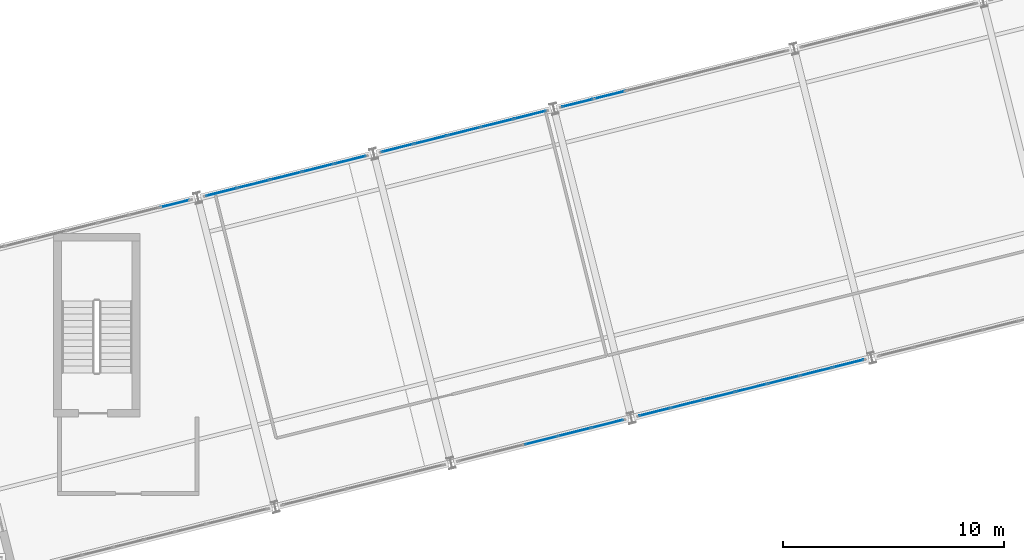
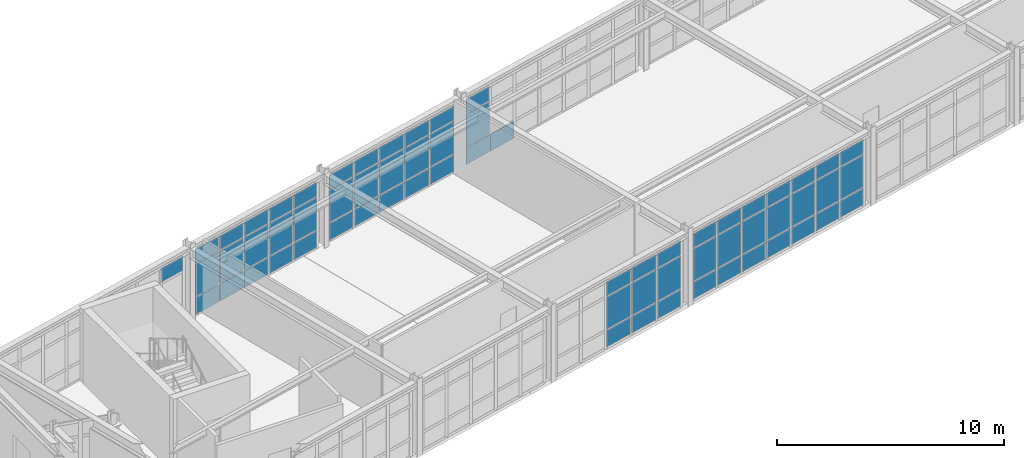
# One storey, part 50 of 88: 65 plates, 6 elements without a shape of their own.
"""IFC4 building model written with IfcOpenShell, lengths in metres."""

from ifc_helpers import new_model, si_unit, direction, frame, origin, origin_2d, place, context, subcontext, project, spatial, rectangle, extrude, material, layer, layer_set, type_object, element, aggregate, save


model = new_model("IFC4")

# Units and contexts
model_context = context("Model", 3, precision=1e-05, world=origin(), true_north=direction((0.0, 1.0)))
body_context = subcontext(model_context, "Body", "Model", "MODEL_VIEW")
ifc_project = project(units=[si_unit("LENGTHUNIT", "METRE"), si_unit("AREAUNIT", "SQUARE_METRE"), si_unit("VOLUMEUNIT", "CUBIC_METRE"), si_unit("PLANEANGLEUNIT", "RADIAN"), si_unit("MASSUNIT", "GRAM", prefix="KILO")], contexts=[model_context])

# Site, building, storey
site_placement = place(None, origin())
site = spatial("IfcSite", under=ifc_project, at=site_placement, CompositionType="ELEMENT")
building_placement = place(site_placement, origin())
building = spatial("IfcBuilding", under=site, at=building_placement, Name="Nordkorset Police Headquarters", CompositionType="ELEMENT")
storey_placement = place(building_placement, frame((0.0, 0.0, 9.449951171875)))
storey = spatial("IfcBuildingStorey", under=building, at=storey_placement, Name="L02", CompositionType="ELEMENT", Elevation=9.449951171875)

# Curtain wall, plate
ifc_material_1 = material(Name="Aluminium alloy AW-6060", Category="aluminium")
ifc_layer_1 = layer(ifc_material_1, 0.179931640625, Name="Aluminium alloy AW-6060")
ifc_layer_set_1 = layer_set([ifc_layer_1], Name="Aluminium alloy AW-6060")
curtain_wall_type_1 = type_object("IfcCurtainWallType", Name="CW_Unit_1156x364", PredefinedType="USERDEFINED", material=ifc_layer_set_1)
curtain_wall_1_placement = place(storey_placement, origin())
curtain_wall_1 = element("IfcCurtainWall", 1, at=curtain_wall_1_placement, inside=storey, type_object=curtain_wall_type_1, Name="Unitised Curtain Wall L02 V4N-0", ObjectType="UNITISED CURTAIN WALL", PredefinedType="USERDEFINED")
ifc_material_2 = material(Name="Low-iron triple glazing", Category="glass")
ifc_layer_2 = layer(ifc_material_2, 0.035888671875, Name="Low-iron triple glazing")
ifc_layer_set_2 = layer_set([ifc_layer_2], Name="Low-iron triple glazing")
plate_type = type_object("IfcPlateType", Name="CW_Panel_TripleGlazing_36", PredefinedType="CURTAIN_PANEL", material=ifc_layer_set_2)
plate_1_placement = place(storey_placement, frame((30.916015625, 58.672119140625, 2.822509765625), z_axis=(0.0, 0.0, 1.0), x_axis=(0.970142347489, 0.242536235663, 0.0)))
plate_1 = element("IfcPlate", 2, at=plate_1_placement, type_object=plate_type, Name="CW-103 panel 8.3", PredefinedType="CURTAIN_PANEL", context=body_context, shape_type="SweptSolid", body=[
    extrude(rectangle(XDim=1.347412109375, YDim=0.035888671875, at=origin_2d()), origin(), (0.0, 0.0, 1.0), 0.75244140625),
])
aggregate(curtain_wall_1, [plate_1])

# Curtain wall, plates
ifc_material_3 = material(Name="Aluminium alloy AW-6060", Category="aluminium")
ifc_layer_3 = layer(ifc_material_3, 0.179931640625, Name="Aluminium alloy AW-6060")
ifc_layer_set_3 = layer_set([ifc_layer_3], Name="Aluminium alloy AW-6060")
curtain_wall_type_2 = type_object("IfcCurtainWallType", Name="CW_Unit_756x364", PredefinedType="USERDEFINED", material=ifc_layer_set_3)
curtain_wall_2_placement = place(storey_placement, origin())
curtain_wall_2 = element("IfcCurtainWall", 3, at=curtain_wall_2_placement, inside=storey, type_object=curtain_wall_type_2, Name="Unitised Curtain Wall L02 V4N-1", ObjectType="UNITISED CURTAIN WALL", PredefinedType="USERDEFINED")
plate_2_placement = place(storey_placement, frame((33.0029296875, 59.19384765625, 0.06494140625), z_axis=(0.0, 0.0, 1.0), x_axis=(0.970142500145, 0.242535625038, 0.0)))
plate_2 = element("IfcPlate", 4, at=plate_2_placement, type_object=plate_type, Name="CW-10 panel 1.1", PredefinedType="CURTAIN_PANEL", context=body_context, shape_type="SweptSolid", body=[
    extrude(rectangle(XDim=1.41455078125, YDim=0.035888671875, at=origin_2d()), origin(), (0.0, 0.0, 1.0), 0.902587890625),
])
plate_3_placement = place(storey_placement, frame((33.0029296875, 59.19384765625, 1.032470703125), z_axis=(0.0, 0.0, 1.0), x_axis=(0.970142500145, 0.242535625038, 0.0)))
plate_3 = element("IfcPlate", 5, at=plate_3_placement, type_object=plate_type, Name="CW-10 panel 1.2", PredefinedType="CURTAIN_PANEL", context=body_context, shape_type="SweptSolid", body=[
    extrude(rectangle(XDim=1.41455078125, YDim=0.035888671875, at=origin_2d()), origin(), (0.0, 0.0, 1.0), 1.72509765625),
])
plate_4_placement = place(storey_placement, frame((33.0029296875, 59.19384765625, 2.822509765625), z_axis=(0.0, 0.0, 1.0), x_axis=(0.970142500145, 0.242535625038, 0.0)))
plate_4 = element("IfcPlate", 6, at=plate_4_placement, type_object=plate_type, Name="CW-10 panel 1.3", PredefinedType="CURTAIN_PANEL", context=body_context, shape_type="SweptSolid", body=[
    extrude(rectangle(XDim=1.41455078125, YDim=0.035888671875, at=origin_2d()), origin(), (0.0, 0.0, 1.0), 0.75244140625),
])
plate_5_placement = place(storey_placement, frame((34.453857421875, 59.556640625, 0.06494140625), z_axis=(0.0, 0.0, 1.0), x_axis=(0.970142500145, 0.242535625038, 0.0)))
plate_5 = element("IfcPlate", 7, at=plate_5_placement, type_object=plate_type, Name="CW-10 panel 2.1", PredefinedType="CURTAIN_PANEL", context=body_context, shape_type="SweptSolid", body=[
    extrude(rectangle(XDim=1.447021484375, YDim=0.035888671875, at=origin_2d()), origin(), (0.0, 0.0, 1.0), 0.902587890625),
])
plate_6_placement = place(storey_placement, frame((34.453857421875, 59.556640625, 1.032470703125), z_axis=(0.0, 0.0, 1.0), x_axis=(0.970142500145, 0.242535625038, 0.0)))
plate_6 = element("IfcPlate", 8, at=plate_6_placement, type_object=plate_type, Name="CW-10 panel 2.2", PredefinedType="CURTAIN_PANEL", context=body_context, shape_type="SweptSolid", body=[
    extrude(rectangle(XDim=1.447021484375, YDim=0.035888671875, at=origin_2d()), origin(), (0.0, 0.0, 1.0), 1.72509765625),
])
plate_7_placement = place(storey_placement, frame((34.453857421875, 59.556640625, 2.822509765625), z_axis=(0.0, 0.0, 1.0), x_axis=(0.970142500145, 0.242535625038, 0.0)))
plate_7 = element("IfcPlate", 9, at=plate_7_placement, type_object=plate_type, Name="CW-10 panel 2.3", PredefinedType="CURTAIN_PANEL", context=body_context, shape_type="SweptSolid", body=[
    extrude(rectangle(XDim=1.447021484375, YDim=0.035888671875, at=origin_2d()), origin(), (0.0, 0.0, 1.0), 0.75244140625),
])
plate_8_placement = place(storey_placement, frame((35.9208984375, 59.92333984375, 0.06494140625), z_axis=(0.0, 0.0, 1.0), x_axis=(0.970142500145, 0.242535625038, 0.0)))
plate_8 = element("IfcPlate", 10, at=plate_8_placement, type_object=plate_type, Name="CW-10 panel 3.1", PredefinedType="CURTAIN_PANEL", context=body_context, shape_type="SweptSolid", body=[
    extrude(rectangle(XDim=1.447021484375, YDim=0.035888671875, at=origin_2d()), origin(), (0.0, 0.0, 1.0), 0.902587890625),
])
plate_9_placement = place(storey_placement, frame((35.9208984375, 59.92333984375, 1.032470703125), z_axis=(0.0, 0.0, 1.0), x_axis=(0.970142500145, 0.242535625038, 0.0)))
plate_9 = element("IfcPlate", 11, at=plate_9_placement, type_object=plate_type, Name="CW-10 panel 3.2", PredefinedType="CURTAIN_PANEL", context=body_context, shape_type="SweptSolid", body=[
    extrude(rectangle(XDim=1.447021484375, YDim=0.035888671875, at=origin_2d()), origin(), (0.0, 0.0, 1.0), 1.72509765625),
])
plate_10_placement = place(storey_placement, frame((35.9208984375, 59.92333984375, 2.822509765625), z_axis=(0.0, 0.0, 1.0), x_axis=(0.970142500145, 0.242535625038, 0.0)))
plate_10 = element("IfcPlate", 12, at=plate_10_placement, type_object=plate_type, Name="CW-10 panel 3.3", PredefinedType="CURTAIN_PANEL", context=body_context, shape_type="SweptSolid", body=[
    extrude(rectangle(XDim=1.447021484375, YDim=0.035888671875, at=origin_2d()), origin(), (0.0, 0.0, 1.0), 0.75244140625),
])
plate_11_placement = place(storey_placement, frame((37.3876953125, 60.2900390625, 0.06494140625), z_axis=(0.0, 0.0, 1.0), x_axis=(0.970142500145, 0.242535625038, 0.0)))
plate_11 = element("IfcPlate", 13, at=plate_11_placement, type_object=plate_type, Name="CW-10 panel 4.1", PredefinedType="CURTAIN_PANEL", context=body_context, shape_type="SweptSolid", body=[
    extrude(rectangle(XDim=1.447021484375, YDim=0.035888671875, at=origin_2d()), origin(), (0.0, 0.0, 1.0), 0.902587890625),
])
plate_12_placement = place(storey_placement, frame((37.3876953125, 60.2900390625, 1.032470703125), z_axis=(0.0, 0.0, 1.0), x_axis=(0.970142500145, 0.242535625038, 0.0)))
plate_12 = element("IfcPlate", 14, at=plate_12_placement, type_object=plate_type, Name="CW-10 panel 4.2", PredefinedType="CURTAIN_PANEL", context=body_context, shape_type="SweptSolid", body=[
    extrude(rectangle(XDim=1.447021484375, YDim=0.035888671875, at=origin_2d()), origin(), (0.0, 0.0, 1.0), 1.72509765625),
])
plate_13_placement = place(storey_placement, frame((37.3876953125, 60.2900390625, 2.822509765625), z_axis=(0.0, 0.0, 1.0), x_axis=(0.970142500145, 0.242535625038, 0.0)))
plate_13 = element("IfcPlate", 15, at=plate_13_placement, type_object=plate_type, Name="CW-10 panel 4.3", PredefinedType="CURTAIN_PANEL", context=body_context, shape_type="SweptSolid", body=[
    extrude(rectangle(XDim=1.447021484375, YDim=0.035888671875, at=origin_2d()), origin(), (0.0, 0.0, 1.0), 0.75244140625),
])
plate_14_placement = place(storey_placement, frame((38.8388671875, 60.65283203125, 0.06494140625), z_axis=(0.0, 0.0, 1.0), x_axis=(0.970142500145, 0.242535625038, 0.0)))
plate_14 = element("IfcPlate", 16, at=plate_14_placement, type_object=plate_type, Name="CW-10 panel 5.1", PredefinedType="CURTAIN_PANEL", context=body_context, shape_type="SweptSolid", body=[
    extrude(rectangle(XDim=1.41455078125, YDim=0.035888671875, at=origin_2d()), origin(), (0.0, 0.0, 1.0), 0.902587890625),
])
plate_15_placement = place(storey_placement, frame((38.8388671875, 60.65283203125, 1.032470703125), z_axis=(0.0, 0.0, 1.0), x_axis=(0.970142500145, 0.242535625038, 0.0)))
plate_15 = element("IfcPlate", 17, at=plate_15_placement, type_object=plate_type, Name="CW-10 panel 5.2", PredefinedType="CURTAIN_PANEL", context=body_context, shape_type="SweptSolid", body=[
    extrude(rectangle(XDim=1.41455078125, YDim=0.035888671875, at=origin_2d()), origin(), (0.0, 0.0, 1.0), 1.72509765625),
])
plate_16_placement = place(storey_placement, frame((38.8388671875, 60.65283203125, 2.822509765625), z_axis=(0.0, 0.0, 1.0), x_axis=(0.970142500145, 0.242535625038, 0.0)))
plate_16 = element("IfcPlate", 18, at=plate_16_placement, type_object=plate_type, Name="CW-10 panel 5.3", PredefinedType="CURTAIN_PANEL", context=body_context, shape_type="SweptSolid", body=[
    extrude(rectangle(XDim=1.41455078125, YDim=0.035888671875, at=origin_2d()), origin(), (0.0, 0.0, 1.0), 0.75244140625),
])
aggregate(curtain_wall_2, [plate_2, plate_3, plate_4, plate_5, plate_6, plate_7, plate_8, plate_9, plate_10, plate_11, plate_12, plate_13, plate_14, plate_15, plate_16])

ifc_material_4 = material(Name="Aluminium alloy AW-6060", Category="aluminium")
ifc_layer_4 = layer(ifc_material_4, 0.179931640625, Name="Aluminium alloy AW-6060")
ifc_layer_set_4 = layer_set([ifc_layer_4], Name="Aluminium alloy AW-6060")
curtain_wall_type_3 = type_object("IfcCurtainWallType", Name="CW_Unit_776x364", PredefinedType="USERDEFINED", material=ifc_layer_set_4)
curtain_wall_3_placement = place(storey_placement, origin())
curtain_wall_3 = element("IfcCurtainWall", 19, at=curtain_wall_3_placement, inside=storey, type_object=curtain_wall_type_3, Name="Unitised Curtain Wall L02 V4S-2", ObjectType="UNITISED CURTAIN WALL", PredefinedType="USERDEFINED")
plate_17_placement = place(storey_placement, frame((47.465576171875, 47.96630859375, 0.06494140625), z_axis=(0.0, 0.0, 1.0), x_axis=(0.970142727556, 0.24253471539, 0.0)))
plate_17 = element("IfcPlate", 20, at=plate_17_placement, type_object=plate_type, Name="CW-100 panel 3.1", PredefinedType="CURTAIN_PANEL", context=body_context, shape_type="SweptSolid", body=[
    extrude(rectangle(XDim=1.487060546875, YDim=0.035888671875, at=origin_2d()), origin(), (0.0, 0.0, 1.0), 0.902587890625),
])
plate_18_placement = place(storey_placement, frame((47.465576171875, 47.96630859375, 1.032470703125), z_axis=(0.0, 0.0, 1.0), x_axis=(0.970142727556, 0.24253471539, 0.0)))
plate_18 = element("IfcPlate", 21, at=plate_18_placement, type_object=plate_type, Name="CW-100 panel 3.2", PredefinedType="CURTAIN_PANEL", context=body_context, shape_type="SweptSolid", body=[
    extrude(rectangle(XDim=1.487060546875, YDim=0.035888671875, at=origin_2d()), origin(), (0.0, 0.0, 1.0), 1.72509765625),
])
plate_19_placement = place(storey_placement, frame((47.465576171875, 47.96630859375, 2.822509765625), z_axis=(0.0, 0.0, 1.0), x_axis=(0.970142727556, 0.24253471539, 0.0)))
plate_19 = element("IfcPlate", 22, at=plate_19_placement, type_object=plate_type, Name="CW-100 panel 3.3", PredefinedType="CURTAIN_PANEL", context=body_context, shape_type="SweptSolid", body=[
    extrude(rectangle(XDim=1.487060546875, YDim=0.035888671875, at=origin_2d()), origin(), (0.0, 0.0, 1.0), 0.75244140625),
])
plate_20_placement = place(storey_placement, frame((48.97119140625, 48.3427734375, 0.06494140625), z_axis=(0.0, 0.0, 1.0), x_axis=(0.970142727556, 0.24253471539, 0.0)))
plate_20 = element("IfcPlate", 23, at=plate_20_placement, type_object=plate_type, Name="CW-100 panel 4.1", PredefinedType="CURTAIN_PANEL", context=body_context, shape_type="SweptSolid", body=[
    extrude(rectangle(XDim=1.487060546875, YDim=0.035888671875, at=origin_2d()), origin(), (0.0, 0.0, 1.0), 0.902587890625),
])
plate_21_placement = place(storey_placement, frame((48.97119140625, 48.3427734375, 1.032470703125), z_axis=(0.0, 0.0, 1.0), x_axis=(0.970142727556, 0.24253471539, 0.0)))
plate_21 = element("IfcPlate", 24, at=plate_21_placement, type_object=plate_type, Name="CW-100 panel 4.2", PredefinedType="CURTAIN_PANEL", context=body_context, shape_type="SweptSolid", body=[
    extrude(rectangle(XDim=1.487060546875, YDim=0.035888671875, at=origin_2d()), origin(), (0.0, 0.0, 1.0), 1.72509765625),
])
plate_22_placement = place(storey_placement, frame((48.97119140625, 48.3427734375, 2.822509765625), z_axis=(0.0, 0.0, 1.0), x_axis=(0.970142727556, 0.24253471539, 0.0)))
plate_22 = element("IfcPlate", 25, at=plate_22_placement, type_object=plate_type, Name="CW-100 panel 4.3", PredefinedType="CURTAIN_PANEL", context=body_context, shape_type="SweptSolid", body=[
    extrude(rectangle(XDim=1.487060546875, YDim=0.035888671875, at=origin_2d()), origin(), (0.0, 0.0, 1.0), 0.75244140625),
])
plate_23_placement = place(storey_placement, frame((50.461181640625, 48.71533203125, 0.06494140625), z_axis=(0.0, 0.0, 1.0), x_axis=(0.970142727556, 0.24253471539, 0.0)))
plate_23 = element("IfcPlate", 26, at=plate_23_placement, type_object=plate_type, Name="CW-100 panel 5.1", PredefinedType="CURTAIN_PANEL", context=body_context, shape_type="SweptSolid", body=[
    extrude(rectangle(XDim=1.45458984375, YDim=0.035888671875, at=origin_2d()), origin(), (0.0, 0.0, 1.0), 0.902587890625),
])
plate_24_placement = place(storey_placement, frame((50.461181640625, 48.71533203125, 1.032470703125), z_axis=(0.0, 0.0, 1.0), x_axis=(0.970142727556, 0.24253471539, 0.0)))
plate_24 = element("IfcPlate", 27, at=plate_24_placement, type_object=plate_type, Name="CW-100 panel 5.2", PredefinedType="CURTAIN_PANEL", context=body_context, shape_type="SweptSolid", body=[
    extrude(rectangle(XDim=1.45458984375, YDim=0.035888671875, at=origin_2d()), origin(), (0.0, 0.0, 1.0), 1.72509765625),
])
plate_25_placement = place(storey_placement, frame((50.461181640625, 48.71533203125, 2.822509765625), z_axis=(0.0, 0.0, 1.0), x_axis=(0.970142727556, 0.24253471539, 0.0)))
plate_25 = element("IfcPlate", 28, at=plate_25_placement, type_object=plate_type, Name="CW-100 panel 5.3", PredefinedType="CURTAIN_PANEL", context=body_context, shape_type="SweptSolid", body=[
    extrude(rectangle(XDim=1.45458984375, YDim=0.035888671875, at=origin_2d()), origin(), (0.0, 0.0, 1.0), 0.75244140625),
])
aggregate(curtain_wall_3, [plate_17, plate_18, plate_19, plate_20, plate_21, plate_22, plate_23, plate_24, plate_25])

curtain_wall_4_placement = place(storey_placement, origin())
curtain_wall_4 = element("IfcCurtainWall", 29, at=curtain_wall_4_placement, inside=storey, type_object=curtain_wall_type_3, Name="Unitised Curtain Wall L02 V4N-2", ObjectType="UNITISED CURTAIN WALL", PredefinedType="USERDEFINED")
plate_26_placement = place(storey_placement, frame((40.9775390625, 61.1875, 0.06494140625), z_axis=(0.0, 0.0, 1.0), x_axis=(0.970142424344, 0.242535928242, 0.0)))
plate_26 = element("IfcPlate", 30, at=plate_26_placement, type_object=plate_type, Name="CW-100 panel 1.1", PredefinedType="CURTAIN_PANEL", context=body_context, shape_type="SweptSolid", body=[
    extrude(rectangle(XDim=1.45458984375, YDim=0.035888671875, at=origin_2d()), origin(), (0.0, 0.0, 1.0), 0.902587890625),
])
plate_27_placement = place(storey_placement, frame((40.9775390625, 61.1875, 1.032470703125), z_axis=(0.0, 0.0, 1.0), x_axis=(0.970142424344, 0.242535928242, 0.0)))
plate_27 = element("IfcPlate", 31, at=plate_27_placement, type_object=plate_type, Name="CW-100 panel 1.2", PredefinedType="CURTAIN_PANEL", context=body_context, shape_type="SweptSolid", body=[
    extrude(rectangle(XDim=1.45458984375, YDim=0.035888671875, at=origin_2d()), origin(), (0.0, 0.0, 1.0), 1.72509765625),
])
plate_28_placement = place(storey_placement, frame((40.9775390625, 61.1875, 2.822509765625), z_axis=(0.0, 0.0, 1.0), x_axis=(0.970142424344, 0.242535928242, 0.0)))
plate_28 = element("IfcPlate", 32, at=plate_28_placement, type_object=plate_type, Name="CW-100 panel 1.3", PredefinedType="CURTAIN_PANEL", context=body_context, shape_type="SweptSolid", body=[
    extrude(rectangle(XDim=1.45458984375, YDim=0.035888671875, at=origin_2d()), origin(), (0.0, 0.0, 1.0), 0.75244140625),
])
plate_29_placement = place(storey_placement, frame((42.46728515625, 61.56005859375, 0.06494140625), z_axis=(0.0, 0.0, 1.0), x_axis=(0.970142424344, 0.242535928242, 0.0)))
plate_29 = element("IfcPlate", 33, at=plate_29_placement, type_object=plate_type, Name="CW-100 panel 2.1", PredefinedType="CURTAIN_PANEL", context=body_context, shape_type="SweptSolid", body=[
    extrude(rectangle(XDim=1.487060546875, YDim=0.035888671875, at=origin_2d()), origin(), (0.0, 0.0, 1.0), 0.902587890625),
])
plate_30_placement = place(storey_placement, frame((42.46728515625, 61.56005859375, 1.032470703125), z_axis=(0.0, 0.0, 1.0), x_axis=(0.970142424344, 0.242535928242, 0.0)))
plate_30 = element("IfcPlate", 34, at=plate_30_placement, type_object=plate_type, Name="CW-100 panel 2.2", PredefinedType="CURTAIN_PANEL", context=body_context, shape_type="SweptSolid", body=[
    extrude(rectangle(XDim=1.487060546875, YDim=0.035888671875, at=origin_2d()), origin(), (0.0, 0.0, 1.0), 1.72509765625),
])
plate_31_placement = place(storey_placement, frame((42.46728515625, 61.56005859375, 2.822509765625), z_axis=(0.0, 0.0, 1.0), x_axis=(0.970142424344, 0.242535928242, 0.0)))
plate_31 = element("IfcPlate", 35, at=plate_31_placement, type_object=plate_type, Name="CW-100 panel 2.3", PredefinedType="CURTAIN_PANEL", context=body_context, shape_type="SweptSolid", body=[
    extrude(rectangle(XDim=1.487060546875, YDim=0.035888671875, at=origin_2d()), origin(), (0.0, 0.0, 1.0), 0.75244140625),
])
plate_32_placement = place(storey_placement, frame((43.972900390625, 61.9365234375, 0.06494140625), z_axis=(0.0, 0.0, 1.0), x_axis=(0.970142424344, 0.242535928242, 0.0)))
plate_32 = element("IfcPlate", 36, at=plate_32_placement, type_object=plate_type, Name="CW-100 panel 3.1", PredefinedType="CURTAIN_PANEL", context=body_context, shape_type="SweptSolid", body=[
    extrude(rectangle(XDim=1.487060546875, YDim=0.035888671875, at=origin_2d()), origin(), (0.0, 0.0, 1.0), 0.902587890625),
])
plate_33_placement = place(storey_placement, frame((43.972900390625, 61.9365234375, 1.032470703125), z_axis=(0.0, 0.0, 1.0), x_axis=(0.970142424344, 0.242535928242, 0.0)))
plate_33 = element("IfcPlate", 37, at=plate_33_placement, type_object=plate_type, Name="CW-100 panel 3.2", PredefinedType="CURTAIN_PANEL", context=body_context, shape_type="SweptSolid", body=[
    extrude(rectangle(XDim=1.487060546875, YDim=0.035888671875, at=origin_2d()), origin(), (0.0, 0.0, 1.0), 1.72509765625),
])
plate_34_placement = place(storey_placement, frame((43.972900390625, 61.9365234375, 2.822509765625), z_axis=(0.0, 0.0, 1.0), x_axis=(0.970142424344, 0.242535928242, 0.0)))
plate_34 = element("IfcPlate", 38, at=plate_34_placement, type_object=plate_type, Name="CW-100 panel 3.3", PredefinedType="CURTAIN_PANEL", context=body_context, shape_type="SweptSolid", body=[
    extrude(rectangle(XDim=1.487060546875, YDim=0.035888671875, at=origin_2d()), origin(), (0.0, 0.0, 1.0), 0.75244140625),
])
plate_35_placement = place(storey_placement, frame((45.478759765625, 62.312744140625, 0.06494140625), z_axis=(0.0, 0.0, 1.0), x_axis=(0.970142424344, 0.242535928242, 0.0)))
plate_35 = element("IfcPlate", 39, at=plate_35_placement, type_object=plate_type, Name="CW-100 panel 4.1", PredefinedType="CURTAIN_PANEL", context=body_context, shape_type="SweptSolid", body=[
    extrude(rectangle(XDim=1.487060546875, YDim=0.035888671875, at=origin_2d()), origin(), (0.0, 0.0, 1.0), 0.902587890625),
])
plate_36_placement = place(storey_placement, frame((45.478759765625, 62.312744140625, 1.032470703125), z_axis=(0.0, 0.0, 1.0), x_axis=(0.970142424344, 0.242535928242, 0.0)))
plate_36 = element("IfcPlate", 40, at=plate_36_placement, type_object=plate_type, Name="CW-100 panel 4.2", PredefinedType="CURTAIN_PANEL", context=body_context, shape_type="SweptSolid", body=[
    extrude(rectangle(XDim=1.487060546875, YDim=0.035888671875, at=origin_2d()), origin(), (0.0, 0.0, 1.0), 1.72509765625),
])
plate_37_placement = place(storey_placement, frame((45.478759765625, 62.312744140625, 2.822509765625), z_axis=(0.0, 0.0, 1.0), x_axis=(0.970142424344, 0.242535928242, 0.0)))
plate_37 = element("IfcPlate", 41, at=plate_37_placement, type_object=plate_type, Name="CW-100 panel 4.3", PredefinedType="CURTAIN_PANEL", context=body_context, shape_type="SweptSolid", body=[
    extrude(rectangle(XDim=1.487060546875, YDim=0.035888671875, at=origin_2d()), origin(), (0.0, 0.0, 1.0), 0.75244140625),
])
plate_38_placement = place(storey_placement, frame((46.968505859375, 62.685302734375, 0.06494140625), z_axis=(0.0, 0.0, 1.0), x_axis=(0.970142424344, 0.242535928242, 0.0)))
plate_38 = element("IfcPlate", 42, at=plate_38_placement, type_object=plate_type, Name="CW-100 panel 5.1", PredefinedType="CURTAIN_PANEL", context=body_context, shape_type="SweptSolid", body=[
    extrude(rectangle(XDim=1.45458984375, YDim=0.035888671875, at=origin_2d()), origin(), (0.0, 0.0, 1.0), 0.902587890625),
])
plate_39_placement = place(storey_placement, frame((46.968505859375, 62.685302734375, 1.032470703125), z_axis=(0.0, 0.0, 1.0), x_axis=(0.970142424344, 0.242535928242, 0.0)))
plate_39 = element("IfcPlate", 43, at=plate_39_placement, type_object=plate_type, Name="CW-100 panel 5.2", PredefinedType="CURTAIN_PANEL", context=body_context, shape_type="SweptSolid", body=[
    extrude(rectangle(XDim=1.45458984375, YDim=0.035888671875, at=origin_2d()), origin(), (0.0, 0.0, 1.0), 1.72509765625),
])
plate_40_placement = place(storey_placement, frame((46.968505859375, 62.685302734375, 2.822509765625), z_axis=(0.0, 0.0, 1.0), x_axis=(0.970142424344, 0.242535928242, 0.0)))
plate_40 = element("IfcPlate", 44, at=plate_40_placement, type_object=plate_type, Name="CW-100 panel 5.3", PredefinedType="CURTAIN_PANEL", context=body_context, shape_type="SweptSolid", body=[
    extrude(rectangle(XDim=1.45458984375, YDim=0.035888671875, at=origin_2d()), origin(), (0.0, 0.0, 1.0), 0.75244140625),
])
aggregate(curtain_wall_4, [plate_26, plate_27, plate_28, plate_29, plate_30, plate_31, plate_32, plate_33, plate_34, plate_35, plate_36, plate_37, plate_38, plate_39, plate_40])

ifc_material_5 = material(Name="Aluminium alloy AW-6060", Category="aluminium")
ifc_layer_5 = layer(ifc_material_5, 0.179931640625, Name="Aluminium alloy AW-6060")
ifc_layer_set_5 = layer_set([ifc_layer_5], Name="Aluminium alloy AW-6060")
curtain_wall_type_4 = type_object("IfcCurtainWallType", Name="CW_Unit_1056x364", PredefinedType="USERDEFINED", material=ifc_layer_set_5)
curtain_wall_5_placement = place(storey_placement, origin())
curtain_wall_5 = element("IfcCurtainWall", 45, at=curtain_wall_5_placement, inside=storey, type_object=curtain_wall_type_4, Name="Unitised Curtain Wall L02 V4S-3", ObjectType="UNITISED CURTAIN WALL", PredefinedType="USERDEFINED")
plate_41_placement = place(storey_placement, frame((52.59814453125, 49.24951171875, 0.06494140625), z_axis=(0.0, 0.0, 1.0), x_axis=(0.970142611554, 0.242535179399, 0.0)))
plate_41 = element("IfcPlate", 46, at=plate_41_placement, type_object=plate_type, Name="CW-31 panel 1.1", PredefinedType="CURTAIN_PANEL", context=body_context, shape_type="SweptSolid", body=[
    extrude(rectangle(XDim=1.4111328125, YDim=0.035888671875, at=origin_2d()), origin(), (0.0, 0.0, 1.0), 0.902587890625),
])
plate_42_placement = place(storey_placement, frame((52.59814453125, 49.24951171875, 1.032470703125), z_axis=(0.0, 0.0, 1.0), x_axis=(0.970142611554, 0.242535179399, 0.0)))
plate_42 = element("IfcPlate", 47, at=plate_42_placement, type_object=plate_type, Name="CW-31 panel 1.2", PredefinedType="CURTAIN_PANEL", context=body_context, shape_type="SweptSolid", body=[
    extrude(rectangle(XDim=1.4111328125, YDim=0.035888671875, at=origin_2d()), origin(), (0.0, 0.0, 1.0), 1.72509765625),
])
plate_43_placement = place(storey_placement, frame((52.59814453125, 49.24951171875, 2.822509765625), z_axis=(0.0, 0.0, 1.0), x_axis=(0.970142611554, 0.242535179399, 0.0)))
plate_43 = element("IfcPlate", 48, at=plate_43_placement, type_object=plate_type, Name="CW-31 panel 1.3", PredefinedType="CURTAIN_PANEL", context=body_context, shape_type="SweptSolid", body=[
    extrude(rectangle(XDim=1.4111328125, YDim=0.035888671875, at=origin_2d()), origin(), (0.0, 0.0, 1.0), 0.75244140625),
])
plate_44_placement = place(storey_placement, frame((54.0458984375, 49.611572265625, 0.06494140625), z_axis=(0.0, 0.0, 1.0), x_axis=(0.970142611554, 0.242535179399, 0.0)))
plate_44 = element("IfcPlate", 49, at=plate_44_placement, type_object=plate_type, Name="CW-31 panel 2.1", PredefinedType="CURTAIN_PANEL", context=body_context, shape_type="SweptSolid", body=[
    extrude(rectangle(XDim=1.443603515625, YDim=0.035888671875, at=origin_2d()), origin(), (0.0, 0.0, 1.0), 0.902587890625),
])
plate_45_placement = place(storey_placement, frame((54.0458984375, 49.611572265625, 1.032470703125), z_axis=(0.0, 0.0, 1.0), x_axis=(0.970142611554, 0.242535179399, 0.0)))
plate_45 = element("IfcPlate", 50, at=plate_45_placement, type_object=plate_type, Name="CW-31 panel 2.2", PredefinedType="CURTAIN_PANEL", context=body_context, shape_type="SweptSolid", body=[
    extrude(rectangle(XDim=1.443603515625, YDim=0.035888671875, at=origin_2d()), origin(), (0.0, 0.0, 1.0), 1.72509765625),
])
plate_46_placement = place(storey_placement, frame((54.0458984375, 49.611572265625, 2.822509765625), z_axis=(0.0, 0.0, 1.0), x_axis=(0.970142611554, 0.242535179399, 0.0)))
plate_46 = element("IfcPlate", 51, at=plate_46_placement, type_object=plate_type, Name="CW-31 panel 2.3", PredefinedType="CURTAIN_PANEL", context=body_context, shape_type="SweptSolid", body=[
    extrude(rectangle(XDim=1.443603515625, YDim=0.035888671875, at=origin_2d()), origin(), (0.0, 0.0, 1.0), 0.75244140625),
])
plate_47_placement = place(storey_placement, frame((55.50927734375, 49.977294921875, 0.06494140625), z_axis=(0.0, 0.0, 1.0), x_axis=(0.970142611554, 0.242535179399, 0.0)))
plate_47 = element("IfcPlate", 52, at=plate_47_placement, type_object=plate_type, Name="CW-31 panel 3.1", PredefinedType="CURTAIN_PANEL", context=body_context, shape_type="SweptSolid", body=[
    extrude(rectangle(XDim=1.443603515625, YDim=0.035888671875, at=origin_2d()), origin(), (0.0, 0.0, 1.0), 0.902587890625),
])
plate_48_placement = place(storey_placement, frame((55.50927734375, 49.977294921875, 1.032470703125), z_axis=(0.0, 0.0, 1.0), x_axis=(0.970142611554, 0.242535179399, 0.0)))
plate_48 = element("IfcPlate", 53, at=plate_48_placement, type_object=plate_type, Name="CW-31 panel 3.2", PredefinedType="CURTAIN_PANEL", context=body_context, shape_type="SweptSolid", body=[
    extrude(rectangle(XDim=1.443603515625, YDim=0.035888671875, at=origin_2d()), origin(), (0.0, 0.0, 1.0), 1.72509765625),
])
plate_49_placement = place(storey_placement, frame((55.50927734375, 49.977294921875, 2.822509765625), z_axis=(0.0, 0.0, 1.0), x_axis=(0.970142611554, 0.242535179399, 0.0)))
plate_49 = element("IfcPlate", 54, at=plate_49_placement, type_object=plate_type, Name="CW-31 panel 3.3", PredefinedType="CURTAIN_PANEL", context=body_context, shape_type="SweptSolid", body=[
    extrude(rectangle(XDim=1.443603515625, YDim=0.035888671875, at=origin_2d()), origin(), (0.0, 0.0, 1.0), 0.75244140625),
])
plate_50_placement = place(storey_placement, frame((56.972900390625, 50.34326171875, 0.06494140625), z_axis=(0.0, 0.0, 1.0), x_axis=(0.970142611554, 0.242535179399, 0.0)))
plate_50 = element("IfcPlate", 55, at=plate_50_placement, type_object=plate_type, Name="CW-31 panel 4.1", PredefinedType="CURTAIN_PANEL", context=body_context, shape_type="SweptSolid", body=[
    extrude(rectangle(XDim=1.443603515625, YDim=0.035888671875, at=origin_2d()), origin(), (0.0, 0.0, 1.0), 0.902587890625),
])
plate_51_placement = place(storey_placement, frame((56.972900390625, 50.34326171875, 1.032470703125), z_axis=(0.0, 0.0, 1.0), x_axis=(0.970142611554, 0.242535179399, 0.0)))
plate_51 = element("IfcPlate", 56, at=plate_51_placement, type_object=plate_type, Name="CW-31 panel 4.2", PredefinedType="CURTAIN_PANEL", context=body_context, shape_type="SweptSolid", body=[
    extrude(rectangle(XDim=1.443603515625, YDim=0.035888671875, at=origin_2d()), origin(), (0.0, 0.0, 1.0), 1.72509765625),
])
plate_52_placement = place(storey_placement, frame((56.972900390625, 50.34326171875, 2.822509765625), z_axis=(0.0, 0.0, 1.0), x_axis=(0.970142611554, 0.242535179399, 0.0)))
plate_52 = element("IfcPlate", 57, at=plate_52_placement, type_object=plate_type, Name="CW-31 panel 4.3", PredefinedType="CURTAIN_PANEL", context=body_context, shape_type="SweptSolid", body=[
    extrude(rectangle(XDim=1.443603515625, YDim=0.035888671875, at=origin_2d()), origin(), (0.0, 0.0, 1.0), 0.75244140625),
])
plate_53_placement = place(storey_placement, frame((58.4365234375, 50.708984375, 0.06494140625), z_axis=(0.0, 0.0, 1.0), x_axis=(0.970142611554, 0.242535179399, 0.0)))
plate_53 = element("IfcPlate", 58, at=plate_53_placement, type_object=plate_type, Name="CW-31 panel 5.1", PredefinedType="CURTAIN_PANEL", context=body_context, shape_type="SweptSolid", body=[
    extrude(rectangle(XDim=1.443603515625, YDim=0.035888671875, at=origin_2d()), origin(), (0.0, 0.0, 1.0), 0.902587890625),
])
plate_54_placement = place(storey_placement, frame((58.4365234375, 50.708984375, 1.032470703125), z_axis=(0.0, 0.0, 1.0), x_axis=(0.970142611554, 0.242535179399, 0.0)))
plate_54 = element("IfcPlate", 59, at=plate_54_placement, type_object=plate_type, Name="CW-31 panel 5.2", PredefinedType="CURTAIN_PANEL", context=body_context, shape_type="SweptSolid", body=[
    extrude(rectangle(XDim=1.443603515625, YDim=0.035888671875, at=origin_2d()), origin(), (0.0, 0.0, 1.0), 1.72509765625),
])
plate_55_placement = place(storey_placement, frame((58.4365234375, 50.708984375, 2.822509765625), z_axis=(0.0, 0.0, 1.0), x_axis=(0.970142611554, 0.242535179399, 0.0)))
plate_55 = element("IfcPlate", 60, at=plate_55_placement, type_object=plate_type, Name="CW-31 panel 5.3", PredefinedType="CURTAIN_PANEL", context=body_context, shape_type="SweptSolid", body=[
    extrude(rectangle(XDim=1.443603515625, YDim=0.035888671875, at=origin_2d()), origin(), (0.0, 0.0, 1.0), 0.75244140625),
])
plate_56_placement = place(storey_placement, frame((59.89990234375, 51.074951171875, 0.06494140625), z_axis=(0.0, 0.0, 1.0), x_axis=(0.970142611554, 0.242535179399, 0.0)))
plate_56 = element("IfcPlate", 61, at=plate_56_placement, type_object=plate_type, Name="CW-31 panel 6.1", PredefinedType="CURTAIN_PANEL", context=body_context, shape_type="SweptSolid", body=[
    extrude(rectangle(XDim=1.443603515625, YDim=0.035888671875, at=origin_2d()), origin(), (0.0, 0.0, 1.0), 0.902587890625),
])
plate_57_placement = place(storey_placement, frame((59.89990234375, 51.074951171875, 1.032470703125), z_axis=(0.0, 0.0, 1.0), x_axis=(0.970142611554, 0.242535179399, 0.0)))
plate_57 = element("IfcPlate", 62, at=plate_57_placement, type_object=plate_type, Name="CW-31 panel 6.2", PredefinedType="CURTAIN_PANEL", context=body_context, shape_type="SweptSolid", body=[
    extrude(rectangle(XDim=1.443603515625, YDim=0.035888671875, at=origin_2d()), origin(), (0.0, 0.0, 1.0), 1.72509765625),
])
plate_58_placement = place(storey_placement, frame((59.89990234375, 51.074951171875, 2.822509765625), z_axis=(0.0, 0.0, 1.0), x_axis=(0.970142611554, 0.242535179399, 0.0)))
plate_58 = element("IfcPlate", 63, at=plate_58_placement, type_object=plate_type, Name="CW-31 panel 6.3", PredefinedType="CURTAIN_PANEL", context=body_context, shape_type="SweptSolid", body=[
    extrude(rectangle(XDim=1.443603515625, YDim=0.035888671875, at=origin_2d()), origin(), (0.0, 0.0, 1.0), 0.75244140625),
])
plate_59_placement = place(storey_placement, frame((61.34765625, 51.43701171875, 0.06494140625), z_axis=(0.0, 0.0, 1.0), x_axis=(0.970142611554, 0.242535179399, 0.0)))
plate_59 = element("IfcPlate", 64, at=plate_59_placement, type_object=plate_type, Name="CW-31 panel 7.1", PredefinedType="CURTAIN_PANEL", context=body_context, shape_type="SweptSolid", body=[
    extrude(rectangle(XDim=1.4111328125, YDim=0.035888671875, at=origin_2d()), origin(), (0.0, 0.0, 1.0), 0.902587890625),
])
plate_60_placement = place(storey_placement, frame((61.34765625, 51.43701171875, 1.032470703125), z_axis=(0.0, 0.0, 1.0), x_axis=(0.970142611554, 0.242535179399, 0.0)))
plate_60 = element("IfcPlate", 65, at=plate_60_placement, type_object=plate_type, Name="CW-31 panel 7.2", PredefinedType="CURTAIN_PANEL", context=body_context, shape_type="SweptSolid", body=[
    extrude(rectangle(XDim=1.4111328125, YDim=0.035888671875, at=origin_2d()), origin(), (0.0, 0.0, 1.0), 1.72509765625),
])
plate_61_placement = place(storey_placement, frame((61.34765625, 51.43701171875, 2.822509765625), z_axis=(0.0, 0.0, 1.0), x_axis=(0.970142611554, 0.242535179399, 0.0)))
plate_61 = element("IfcPlate", 66, at=plate_61_placement, type_object=plate_type, Name="CW-31 panel 7.3", PredefinedType="CURTAIN_PANEL", context=body_context, shape_type="SweptSolid", body=[
    extrude(rectangle(XDim=1.4111328125, YDim=0.035888671875, at=origin_2d()), origin(), (0.0, 0.0, 1.0), 0.75244140625),
])
aggregate(curtain_wall_5, [plate_41, plate_42, plate_43, plate_44, plate_45, plate_46, plate_47, plate_48, plate_49, plate_50, plate_51, plate_52, plate_53, plate_54, plate_55, plate_56, plate_57, plate_58, plate_59, plate_60, plate_61])

curtain_wall_6_placement = place(storey_placement, origin())
curtain_wall_6 = element("IfcCurtainWall", 67, at=curtain_wall_6_placement, inside=storey, type_object=curtain_wall_type_4, Name="Unitised Curtain Wall L02 V4N-3", ObjectType="UNITISED CURTAIN WALL", PredefinedType="USERDEFINED")
plate_62_placement = place(storey_placement, frame((49.10546875, 63.219482421875, 0.06494140625), z_axis=(0.0, 0.0, 1.0), x_axis=(0.970142388735, 0.242536070676, 0.0)))
plate_62 = element("IfcPlate", 68, at=plate_62_placement, type_object=plate_type, Name="CW-31 panel 1.1", PredefinedType="CURTAIN_PANEL", context=body_context, shape_type="SweptSolid", body=[
    extrude(rectangle(XDim=1.4111328125, YDim=0.035888671875, at=origin_2d()), origin(), (0.0, 0.0, 1.0), 0.902587890625),
])
plate_63_placement = place(storey_placement, frame((49.10546875, 63.219482421875, 1.032470703125), z_axis=(0.0, 0.0, 1.0), x_axis=(0.970142388735, 0.242536070676, 0.0)))
plate_63 = element("IfcPlate", 69, at=plate_63_placement, type_object=plate_type, Name="CW-31 panel 1.2", PredefinedType="CURTAIN_PANEL", context=body_context, shape_type="SweptSolid", body=[
    extrude(rectangle(XDim=1.4111328125, YDim=0.035888671875, at=origin_2d()), origin(), (0.0, 0.0, 1.0), 1.72509765625),
])
plate_64_placement = place(storey_placement, frame((49.10546875, 63.219482421875, 2.822509765625), z_axis=(0.0, 0.0, 1.0), x_axis=(0.970142388735, 0.242536070676, 0.0)))
plate_64 = element("IfcPlate", 70, at=plate_64_placement, type_object=plate_type, Name="CW-31 panel 1.3", PredefinedType="CURTAIN_PANEL", context=body_context, shape_type="SweptSolid", body=[
    extrude(rectangle(XDim=1.4111328125, YDim=0.035888671875, at=origin_2d()), origin(), (0.0, 0.0, 1.0), 0.75244140625),
])
plate_65_placement = place(storey_placement, frame((50.55322265625, 63.58154296875, 0.06494140625), z_axis=(0.0, 0.0, 1.0), x_axis=(0.970142388735, 0.242536070676, 0.0)))
plate_65 = element("IfcPlate", 71, at=plate_65_placement, type_object=plate_type, Name="CW-31 panel 2.1", PredefinedType="CURTAIN_PANEL", context=body_context, shape_type="SweptSolid", body=[
    extrude(rectangle(XDim=1.443603515625, YDim=0.035888671875, at=origin_2d()), origin(), (0.0, 0.0, 1.0), 0.902587890625),
])
aggregate(curtain_wall_6, [plate_62, plate_63, plate_64, plate_65])

save(model, "model.ifc")
